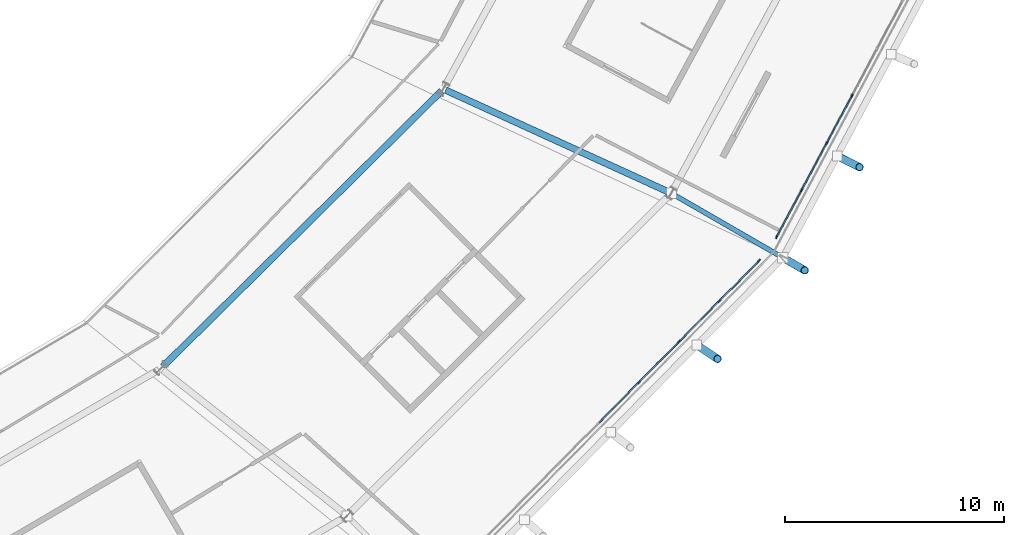
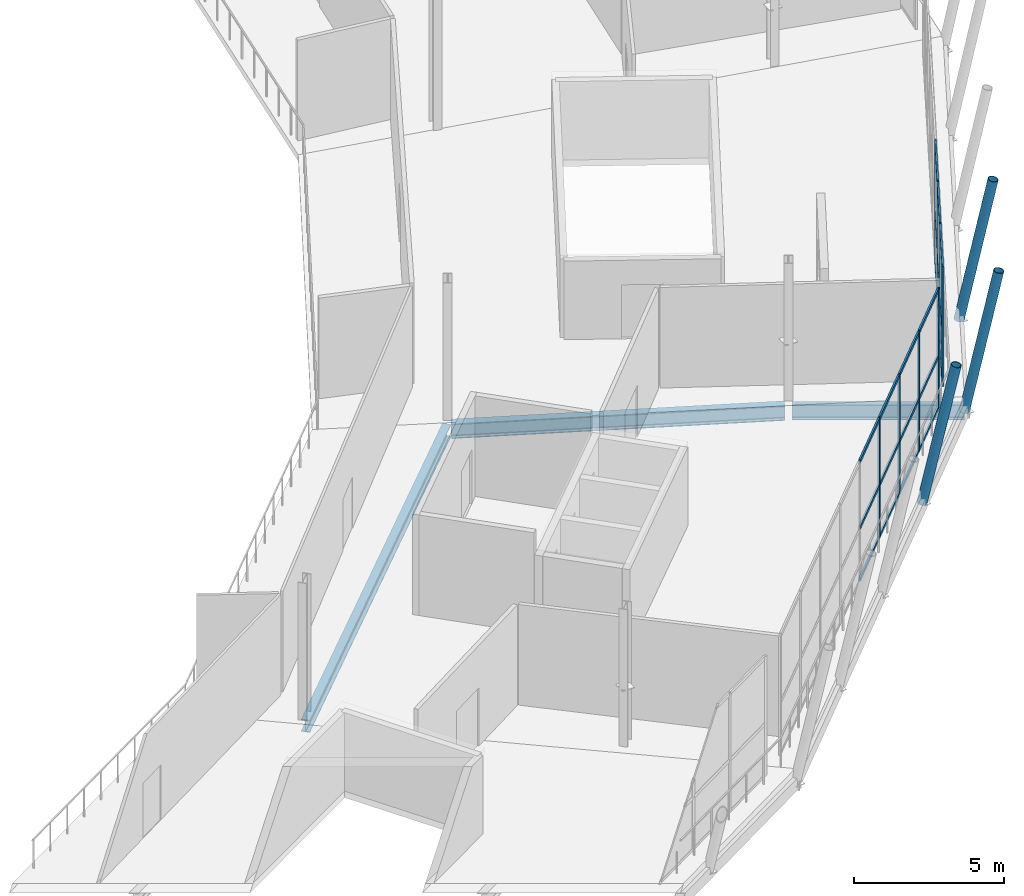
# One storey, part 36 of 99: 32 members, 3 beams, 2 elements without a shape of their own.
"""IFC4 building model written with IfcOpenShell, lengths in metres."""

from ifc_helpers import new_model, si_unit, direction, frame, origin, origin_2d, place, context, subcontext, project, spatial, rectangle, hollow_circle, i_section, extrude, material, material_profile, profile_set, type_object, element, aggregate, save


model = new_model("IFC4")

# Units and contexts
model_context = context("Model", 3, precision=1e-05, world=origin(), true_north=direction((0.0, 1.0)))
body_context = subcontext(model_context, "Body", "Model", "MODEL_VIEW")
ifc_project = project(units=[si_unit("LENGTHUNIT", "METRE"), si_unit("AREAUNIT", "SQUARE_METRE"), si_unit("VOLUMEUNIT", "CUBIC_METRE"), si_unit("PLANEANGLEUNIT", "RADIAN"), si_unit("MASSUNIT", "GRAM", prefix="KILO")], contexts=[model_context])

# Site, building, storey
site_placement = place(None, origin())
site = spatial("IfcSite", under=ifc_project, at=site_placement, CompositionType="ELEMENT")
building_placement = place(site_placement, origin())
building = spatial("IfcBuilding", under=site, at=building_placement, Name="Zlatoyarsky Gate Stadium", CompositionType="ELEMENT")
storey_placement = place(building_placement, frame((0.0, 0.0, 26.199951171875)))
storey = spatial("IfcBuildingStorey", under=building, at=storey_placement, Name="L05", CompositionType="ELEMENT", Elevation=26.199951171875)

# Curtain wall, members
ifc_material_1 = material(Name="Thermally broken anodised aluminium curtain wall", Category="aluminium")
curtain_wall_type = type_object("IfcCurtainWallType", Name="UNITISED SKYBOX RING GLAZING L05", PredefinedType="USERDEFINED", material=ifc_material_1)
curtain_wall_1_placement = place(storey_placement, origin())
curtain_wall_1 = element("IfcCurtainWall", 1, at=curtain_wall_1_placement, inside=storey, type_object=curtain_wall_type, Name="Curtain wall CW-L05-21", ObjectType="UNITISED GLAZING", PredefinedType="USERDEFINED")
ifc_material_2 = material(Name="Anodised aluminium 6063-T6", Category="aluminium")
ifc_material_profile_1 = material_profile(ifc_material_2, rectangle(XDim=0.06494140625, YDim=0.159912109375, at=origin_2d()), Name="ALU 65X160")
ifc_profile_set_1 = profile_set([ifc_material_profile_1], Name="Anodised aluminium 6063-T6")
member_type_1 = type_object("IfcMemberType", Name="ALUMINIUM MULLION 65X160", PredefinedType="MULLION", material=ifc_profile_set_1)
member_1_placement = place(storey_placement, frame((190.0595703125, 35.87890625, 0.0), z_axis=(0.0, 0.0, 1.0), x_axis=(-0.711033343632, 0.703158292451, 0.0)))
member_1 = element("IfcMember", 2, at=member_1_placement, type_object=member_type_1, Name="CW-UG5 mullion 6", PredefinedType="MULLION", context=body_context, shape_type="SweptSolid", body=[
    extrude(rectangle(XDim=0.06494140625, YDim=0.159912109375, at=origin_2d()), origin(), (0.0, 0.0, 1.0), 4.880126953125),
])
member_2_placement = place(storey_placement, frame((191.8955078125, 37.735595703125, 0.0), z_axis=(0.0, 0.0, 1.0), x_axis=(-0.711033343632, 0.703158292451, 0.0)))
member_2 = element("IfcMember", 3, at=member_2_placement, type_object=member_type_1, Name="CW-UG5 mullion 7", PredefinedType="MULLION", context=body_context, shape_type="SweptSolid", body=[
    extrude(rectangle(XDim=0.06494140625, YDim=0.159912109375, at=origin_2d()), origin(), (0.0, 0.0, 1.0), 4.880126953125),
])
member_3_placement = place(storey_placement, frame((193.731689453125, 39.592041015625, 0.0), z_axis=(0.0, 0.0, 1.0), x_axis=(-0.711033343632, 0.703158292451, 0.0)))
member_3 = element("IfcMember", 4, at=member_3_placement, type_object=member_type_1, Name="CW-UG5 mullion 8", PredefinedType="MULLION", context=body_context, shape_type="SweptSolid", body=[
    extrude(rectangle(XDim=0.06494140625, YDim=0.159912109375, at=origin_2d()), origin(), (0.0, 0.0, 1.0), 4.880126953125),
])
member_4_placement = place(storey_placement, frame((195.544677734375, 41.425537109375, 0.0), z_axis=(0.0, 0.0, 1.0), x_axis=(-0.711033343632, 0.703158292451, 0.0)))
member_4 = element("IfcMember", 5, at=member_4_placement, type_object=member_type_1, Name="CW-UG5 mullion 9", PredefinedType="MULLION", context=body_context, shape_type="SweptSolid", body=[
    extrude(rectangle(XDim=0.06494140625, YDim=0.159912109375, at=origin_2d()), origin(), (0.0, 0.0, 1.0), 4.880126953125),
])

curtain_wall_2_placement = place(storey_placement, origin())
curtain_wall_2 = element("IfcCurtainWall", 6, at=curtain_wall_2_placement, inside=storey, type_object=curtain_wall_type, Name="Curtain wall CW-L05-22", ObjectType="UNITISED GLAZING", PredefinedType="USERDEFINED")
member_5_placement = place(storey_placement, frame((196.34619140625, 42.512939453125, 0.0), z_axis=(0.0, 0.0, 1.0), x_axis=(-0.882167873962, 0.470935072117, 0.0)))
member_5 = element("IfcMember", 7, at=member_5_placement, type_object=member_type_1, Name="CW-UG5 mullion 1", PredefinedType="MULLION", context=body_context, shape_type="SweptSolid", body=[
    extrude(rectangle(XDim=0.06494140625, YDim=0.159912109375, at=origin_2d()), origin(), (0.0, 0.0, 1.0), 4.880126953125),
])
member_6_placement = place(storey_placement, frame((197.480224609375, 44.637451171875, 0.0), z_axis=(0.0, 0.0, 1.0), x_axis=(-0.882167873962, 0.470935072117, 0.0)))
member_6 = element("IfcMember", 8, at=member_6_placement, type_object=member_type_1, Name="CW-UG5 mullion 2", PredefinedType="MULLION", context=body_context, shape_type="SweptSolid", body=[
    extrude(rectangle(XDim=0.06494140625, YDim=0.159912109375, at=origin_2d()), origin(), (0.0, 0.0, 1.0), 4.880126953125),
])
member_7_placement = place(storey_placement, frame((198.6298828125, 46.790771484375, 0.0), z_axis=(0.0, 0.0, 1.0), x_axis=(-0.882167873962, 0.470935072117, 0.0)))
member_7 = element("IfcMember", 9, at=member_7_placement, type_object=member_type_1, Name="CW-UG5 mullion 3", PredefinedType="MULLION", context=body_context, shape_type="SweptSolid", body=[
    extrude(rectangle(XDim=0.06494140625, YDim=0.159912109375, at=origin_2d()), origin(), (0.0, 0.0, 1.0), 4.880126953125),
])
member_8_placement = place(storey_placement, frame((199.779296875, 48.944091796875, 0.0), z_axis=(0.0, 0.0, 1.0), x_axis=(-0.882167873962, 0.470935072117, 0.0)))
member_8 = element("IfcMember", 10, at=member_8_placement, type_object=member_type_1, Name="CW-UG5 mullion 4", PredefinedType="MULLION", context=body_context, shape_type="SweptSolid", body=[
    extrude(rectangle(XDim=0.06494140625, YDim=0.159912109375, at=origin_2d()), origin(), (0.0, 0.0, 1.0), 4.880126953125),
])

# Member
ifc_material_profile_2 = material_profile(ifc_material_2, rectangle(XDim=0.06494140625, YDim=0.139892578125, at=origin_2d()), Name="ALU 65X140")
ifc_profile_set_2 = profile_set([ifc_material_profile_2], Name="Anodised aluminium 6063-T6")
member_type_2 = type_object("IfcMemberType", Name="ALUMINIUM TRANSOM 65X140", PredefinedType="USERDEFINED", material=ifc_profile_set_2)
member_9_placement = place(storey_placement, frame((188.246337890625, 34.04541015625, 0.032470703125), z_axis=(0.703116404332, 0.711074765379, 0.0), x_axis=(-0.711074765379, 0.703116404332, 0.0)))
member_9 = element("IfcMember", 11, at=member_9_placement, type_object=member_type_2, Name="CW-UG5 transom 5.1", ObjectType="TRANSOM", PredefinedType="USERDEFINED", context=body_context, shape_type="SweptSolid", body=[
    extrude(rectangle(XDim=0.06494140625, YDim=0.139892578125, at=origin_2d()), origin(), (0.0, 0.0, 1.0), 2.546142578125),
])

member_10_placement = place(storey_placement, frame((188.246337890625, 34.04541015625, 2.150146484375), z_axis=(0.703116404332, 0.711074765379, 0.0), x_axis=(-0.711074765379, 0.703116404332, 0.0)))
member_10 = element("IfcMember", 12, at=member_10_placement, type_object=member_type_2, Name="CW-UG5 transom 5.2", ObjectType="TRANSOM", PredefinedType="USERDEFINED", context=body_context, shape_type="SweptSolid", body=[
    extrude(rectangle(XDim=0.06494140625, YDim=0.139892578125, at=origin_2d()), origin(), (0.0, 0.0, 1.0), 2.546142578125),
])

member_11_placement = place(storey_placement, frame((188.246337890625, 34.04541015625, 4.84765625), z_axis=(0.703116404332, 0.711074765379, 0.0), x_axis=(-0.711074765379, 0.703116404332, 0.0)))
member_11 = element("IfcMember", 13, at=member_11_placement, type_object=member_type_2, Name="CW-UG5 transom 5.3", ObjectType="TRANSOM", PredefinedType="USERDEFINED", context=body_context, shape_type="SweptSolid", body=[
    extrude(rectangle(XDim=0.06494140625, YDim=0.139892578125, at=origin_2d()), origin(), (0.0, 0.0, 1.0), 2.546142578125),
])

member_12_placement = place(storey_placement, frame((190.08251953125, 35.902099609375, 0.032470703125), z_axis=(0.7031643449, 0.711027358166, 0.0), x_axis=(-0.711027358166, 0.7031643449, 0.0)))
member_12 = element("IfcMember", 14, at=member_12_placement, type_object=member_type_2, Name="CW-UG5 transom 6.1", ObjectType="TRANSOM", PredefinedType="USERDEFINED", context=body_context, shape_type="SweptSolid", body=[
    extrude(rectangle(XDim=0.06494140625, YDim=0.139892578125, at=origin_2d()), origin(), (0.0, 0.0, 1.0), 2.546142578125),
])

member_13_placement = place(storey_placement, frame((190.08251953125, 35.902099609375, 2.150146484375), z_axis=(0.7031643449, 0.711027358166, 0.0), x_axis=(-0.711027358166, 0.7031643449, 0.0)))
member_13 = element("IfcMember", 15, at=member_13_placement, type_object=member_type_2, Name="CW-UG5 transom 6.2", ObjectType="TRANSOM", PredefinedType="USERDEFINED", context=body_context, shape_type="SweptSolid", body=[
    extrude(rectangle(XDim=0.06494140625, YDim=0.139892578125, at=origin_2d()), origin(), (0.0, 0.0, 1.0), 2.546142578125),
])

member_14_placement = place(storey_placement, frame((190.08251953125, 35.902099609375, 4.84765625), z_axis=(0.7031643449, 0.711027358166, 0.0), x_axis=(-0.711027358166, 0.7031643449, 0.0)))
member_14 = element("IfcMember", 16, at=member_14_placement, type_object=member_type_2, Name="CW-UG5 transom 6.3", ObjectType="TRANSOM", PredefinedType="USERDEFINED", context=body_context, shape_type="SweptSolid", body=[
    extrude(rectangle(XDim=0.06494140625, YDim=0.139892578125, at=origin_2d()), origin(), (0.0, 0.0, 1.0), 2.546142578125),
])

member_15_placement = place(storey_placement, frame((191.91845703125, 37.758544921875, 0.032470703125), z_axis=(0.703116404332, 0.711074765379, 0.0), x_axis=(-0.711074765379, 0.703116404332, 0.0)))
member_15 = element("IfcMember", 17, at=member_15_placement, type_object=member_type_2, Name="CW-UG5 transom 7.1", ObjectType="TRANSOM", PredefinedType="USERDEFINED", context=body_context, shape_type="SweptSolid", body=[
    extrude(rectangle(XDim=0.06494140625, YDim=0.139892578125, at=origin_2d()), origin(), (0.0, 0.0, 1.0), 2.546142578125),
])

member_16_placement = place(storey_placement, frame((191.91845703125, 37.758544921875, 2.150146484375), z_axis=(0.703116404332, 0.711074765379, 0.0), x_axis=(-0.711074765379, 0.703116404332, 0.0)))
member_16 = element("IfcMember", 18, at=member_16_placement, type_object=member_type_2, Name="CW-UG5 transom 7.2", ObjectType="TRANSOM", PredefinedType="USERDEFINED", context=body_context, shape_type="SweptSolid", body=[
    extrude(rectangle(XDim=0.06494140625, YDim=0.139892578125, at=origin_2d()), origin(), (0.0, 0.0, 1.0), 2.546142578125),
])

member_17_placement = place(storey_placement, frame((191.91845703125, 37.758544921875, 4.84765625), z_axis=(0.703116404332, 0.711074765379, 0.0), x_axis=(-0.711074765379, 0.703116404332, 0.0)))
member_17 = element("IfcMember", 19, at=member_17_placement, type_object=member_type_2, Name="CW-UG5 transom 7.3", ObjectType="TRANSOM", PredefinedType="USERDEFINED", context=body_context, shape_type="SweptSolid", body=[
    extrude(rectangle(XDim=0.06494140625, YDim=0.139892578125, at=origin_2d()), origin(), (0.0, 0.0, 1.0), 2.546142578125),
])

member_18_placement = place(storey_placement, frame((193.75439453125, 39.615234375, 0.032470703125), z_axis=(0.703162404699, 0.711029276906, 0.0), x_axis=(-0.711029276906, 0.703162404699, 0.0)))
member_18 = element("IfcMember", 20, at=member_18_placement, type_object=member_type_2, Name="CW-UG5 transom 8.1", ObjectType="TRANSOM", PredefinedType="USERDEFINED", context=body_context, shape_type="SweptSolid", body=[
    extrude(rectangle(XDim=0.06494140625, YDim=0.139892578125, at=origin_2d()), origin(), (0.0, 0.0, 1.0), 2.513671875),
])

member_19_placement = place(storey_placement, frame((193.75439453125, 39.615234375, 2.150146484375), z_axis=(0.703162404699, 0.711029276906, 0.0), x_axis=(-0.711029276906, 0.703162404699, 0.0)))
member_19 = element("IfcMember", 21, at=member_19_placement, type_object=member_type_2, Name="CW-UG5 transom 8.2", ObjectType="TRANSOM", PredefinedType="USERDEFINED", context=body_context, shape_type="SweptSolid", body=[
    extrude(rectangle(XDim=0.06494140625, YDim=0.139892578125, at=origin_2d()), origin(), (0.0, 0.0, 1.0), 2.513671875),
])

member_20_placement = place(storey_placement, frame((193.75439453125, 39.615234375, 4.84765625), z_axis=(0.703162404699, 0.711029276906, 0.0), x_axis=(-0.711029276906, 0.703162404699, 0.0)))
member_20 = element("IfcMember", 22, at=member_20_placement, type_object=member_type_2, Name="CW-UG5 transom 8.3", ObjectType="TRANSOM", PredefinedType="USERDEFINED", context=body_context, shape_type="SweptSolid", body=[
    extrude(rectangle(XDim=0.06494140625, YDim=0.139892578125, at=origin_2d()), origin(), (0.0, 0.0, 1.0), 2.513671875),
])

aggregate(curtain_wall_1, [member_1, member_2, member_3, member_4, member_9, member_10, member_11, member_12, member_13, member_14, member_15, member_16, member_17, member_18, member_19, member_20])

member_21_placement = place(storey_placement, frame((196.361328125, 42.541748046875, 0.032470703125), z_axis=(0.471015370143, 0.882125003097, 0.0), x_axis=(-0.882125003097, 0.471015370143, 0.0)))
member_21 = element("IfcMember", 23, at=member_21_placement, type_object=member_type_2, Name="CW-UG5 transom 1.1", ObjectType="TRANSOM", PredefinedType="USERDEFINED", context=body_context, shape_type="SweptSolid", body=[
    extrude(rectangle(XDim=0.06494140625, YDim=0.139892578125, at=origin_2d()), origin(), (0.0, 0.0, 1.0), 2.34326171875),
])

member_22_placement = place(storey_placement, frame((196.361328125, 42.541748046875, 2.150146484375), z_axis=(0.471015370143, 0.882125003097, 0.0), x_axis=(-0.882125003097, 0.471015370143, 0.0)))
member_22 = element("IfcMember", 24, at=member_22_placement, type_object=member_type_2, Name="CW-UG5 transom 1.2", ObjectType="TRANSOM", PredefinedType="USERDEFINED", context=body_context, shape_type="SweptSolid", body=[
    extrude(rectangle(XDim=0.06494140625, YDim=0.139892578125, at=origin_2d()), origin(), (0.0, 0.0, 1.0), 2.34326171875),
])

member_23_placement = place(storey_placement, frame((196.361328125, 42.541748046875, 4.84765625), z_axis=(0.471015370143, 0.882125003097, 0.0), x_axis=(-0.882125003097, 0.471015370143, 0.0)))
member_23 = element("IfcMember", 25, at=member_23_placement, type_object=member_type_2, Name="CW-UG5 transom 1.3", ObjectType="TRANSOM", PredefinedType="USERDEFINED", context=body_context, shape_type="SweptSolid", body=[
    extrude(rectangle(XDim=0.06494140625, YDim=0.139892578125, at=origin_2d()), origin(), (0.0, 0.0, 1.0), 2.34326171875),
])

member_24_placement = place(storey_placement, frame((197.49560546875, 44.666259765625, 0.032470703125), z_axis=(0.470934870173, 0.882167981767, 0.0), x_axis=(-0.882167981767, 0.470934870173, 0.0)))
member_24 = element("IfcMember", 26, at=member_24_placement, type_object=member_type_2, Name="CW-UG5 transom 2.1", ObjectType="TRANSOM", PredefinedType="USERDEFINED", context=body_context, shape_type="SweptSolid", body=[
    extrude(rectangle(XDim=0.06494140625, YDim=0.139892578125, at=origin_2d()), origin(), (0.0, 0.0, 1.0), 2.3759765625),
])

member_25_placement = place(storey_placement, frame((197.49560546875, 44.666259765625, 2.150146484375), z_axis=(0.470934870173, 0.882167981767, 0.0), x_axis=(-0.882167981767, 0.470934870173, 0.0)))
member_25 = element("IfcMember", 27, at=member_25_placement, type_object=member_type_2, Name="CW-UG5 transom 2.2", ObjectType="TRANSOM", PredefinedType="USERDEFINED", context=body_context, shape_type="SweptSolid", body=[
    extrude(rectangle(XDim=0.06494140625, YDim=0.139892578125, at=origin_2d()), origin(), (0.0, 0.0, 1.0), 2.3759765625),
])

member_26_placement = place(storey_placement, frame((197.49560546875, 44.666259765625, 4.84765625), z_axis=(0.470934870173, 0.882167981767, 0.0), x_axis=(-0.882167981767, 0.470934870173, 0.0)))
member_26 = element("IfcMember", 28, at=member_26_placement, type_object=member_type_2, Name="CW-UG5 transom 2.3", ObjectType="TRANSOM", PredefinedType="USERDEFINED", context=body_context, shape_type="SweptSolid", body=[
    extrude(rectangle(XDim=0.06494140625, YDim=0.139892578125, at=origin_2d()), origin(), (0.0, 0.0, 1.0), 2.3759765625),
])

member_27_placement = place(storey_placement, frame((198.64501953125, 46.819580078125, 0.032470703125), z_axis=(0.470977563195, 0.882145189278, 0.0), x_axis=(-0.882145189278, 0.470977563195, 0.0)))
member_27 = element("IfcMember", 29, at=member_27_placement, type_object=member_type_2, Name="CW-UG5 transom 3.1", ObjectType="TRANSOM", PredefinedType="USERDEFINED", context=body_context, shape_type="SweptSolid", body=[
    extrude(rectangle(XDim=0.06494140625, YDim=0.139892578125, at=origin_2d()), origin(), (0.0, 0.0, 1.0), 2.375732421875),
])

member_28_placement = place(storey_placement, frame((198.64501953125, 46.819580078125, 2.150146484375), z_axis=(0.470977563195, 0.882145189278, 0.0), x_axis=(-0.882145189278, 0.470977563195, 0.0)))
member_28 = element("IfcMember", 30, at=member_28_placement, type_object=member_type_2, Name="CW-UG5 transom 3.2", ObjectType="TRANSOM", PredefinedType="USERDEFINED", context=body_context, shape_type="SweptSolid", body=[
    extrude(rectangle(XDim=0.06494140625, YDim=0.139892578125, at=origin_2d()), origin(), (0.0, 0.0, 1.0), 2.375732421875),
])

member_29_placement = place(storey_placement, frame((198.64501953125, 46.819580078125, 4.84765625), z_axis=(0.470977563195, 0.882145189278, 0.0), x_axis=(-0.882145189278, 0.470977563195, 0.0)))
member_29 = element("IfcMember", 31, at=member_29_placement, type_object=member_type_2, Name="CW-UG5 transom 3.3", ObjectType="TRANSOM", PredefinedType="USERDEFINED", context=body_context, shape_type="SweptSolid", body=[
    extrude(rectangle(XDim=0.06494140625, YDim=0.139892578125, at=origin_2d()), origin(), (0.0, 0.0, 1.0), 2.375732421875),
])

aggregate(curtain_wall_2, [member_5, member_6, member_7, member_8, member_21, member_22, member_23, member_24, member_25, member_26, member_27, member_28, member_29])

# Beam
ifc_material_3 = material(Name="Steel S355", Category="steel")
ifc_material_profile_3 = material_profile(ifc_material_3, i_section(OverallWidth=0.219970703125, OverallDepth=0.60009765625, WebThickness=0.011962890625, FlangeThickness=0.01904296875, FilletRadius=0.02392578125, at=origin_2d()), Name="IPE 600")
ifc_profile_set_3 = profile_set([ifc_material_profile_3], Name="Steel S355")
beam_type_1 = type_object("IfcBeamType", Name="STEEL CANTILEVER FLOOR BEAM IPE 600", PredefinedType="BEAM", material=ifc_profile_set_3)
beam_1_placement = place(storey_placement, frame((191.644287109375, 44.43994140625, -0.56005859375), z_axis=(0.866014006798, -0.500019739641, 0.0), x_axis=(0.500019739641, 0.866014006798, 0.0)))
element("IfcBeam", 32, at=beam_1_placement, inside=storey, type_object=beam_type_1, Name="Beam B-IPE600 BM-L05-OUT-22", PredefinedType="BEAM", context=body_context, shape_type="SweptSolid", body=[
    extrude(i_section(OverallWidth=0.219970703125, OverallDepth=0.60009765625, WebThickness=0.011962890625, FlangeThickness=0.01904296875, FilletRadius=0.02392578125, at=origin_2d()), origin(), (0.0, 0.0, 1.0), 5.758056640625),
])

# Members
ifc_material_profile_4 = material_profile(ifc_material_3, hollow_circle(Radius=0.177734375, WallThickness=0.02001953125, at=origin_2d()), Name="CHS 355.6X20")
ifc_profile_set_4 = profile_set([ifc_material_profile_4], Name="Steel S355")
member_type_3 = type_object("IfcMemberType", Name="STEEL LEANING RIB RING STRUT CHS 355.6X20", PredefinedType="STRUT", material=ifc_profile_set_4)
member_30_placement = place(storey_placement, frame((192.702392578125, 37.580322265625, -0.510009765625), z_axis=(0.164515541184, -0.109803870587, 0.980243718018), x_axis=(0.555144087828, 0.83175419551, 0.0)))
element("IfcMember", 33, at=member_30_placement, inside=storey, type_object=member_type_3, Name="Outward-leaning bowl louvre fin rib L05 21-3", PredefinedType="STRUT", context=body_context, shape_type="SweptSolid", body=[
    extrude(hollow_circle(Radius=0.177734375, WallThickness=0.02001953125, at=origin_2d()), origin(), (0.0, 0.0, 1.0), 5.774169921875),
])
member_31_placement = place(storey_placement, frame((196.630859375, 41.560791015625, -0.56005859375), z_axis=(0.170926105253, -0.098666025445, 0.98033121034), x_axis=(0.499930806979, 0.866065348708, 0.0)))
element("IfcMember", 34, at=member_31_placement, inside=storey, type_object=member_type_3, Name="Upper leaning rib ring strut 22", PredefinedType="STRUT", context=body_context, shape_type="SweptSolid", body=[
    extrude(hollow_circle(Radius=0.177734375, WallThickness=0.02001953125, at=origin_2d()), origin(), (0.0, 0.0, 1.0), 5.82470703125),
])
member_32_placement = place(storey_placement, frame((199.100341796875, 46.1962890625, -0.510009765625), z_axis=(0.177369194888, -0.087521867322, 0.980244914011), x_axis=(0.442504467342, 0.896766299758, 0.0)))
element("IfcMember", 35, at=member_32_placement, inside=storey, type_object=member_type_3, Name="Outward-leaning bowl louvre fin rib L05 22-1", PredefinedType="STRUT", context=body_context, shape_type="SweptSolid", body=[
    extrude(hollow_circle(Radius=0.177734375, WallThickness=0.02001953125, at=origin_2d()), origin(), (0.0, 0.0, 1.0), 5.774169921875),
])

# Beams
ifc_material_profile_5 = material_profile(ifc_material_3, i_section(OverallWidth=0.300048828125, OverallDepth=0.5, WebThickness=0.014404296875, FlangeThickness=0.028076171875, FilletRadius=0.027099609375, at=origin_2d()), Name="HEB 500")
ifc_profile_set_5 = profile_set([ifc_material_profile_5], Name="Steel S355")
beam_type_2 = type_object("IfcBeamType", Name="STEEL PRIMARY GIRDER HEB 500", PredefinedType="BEAM", material=ifc_profile_set_5)
beam_2_placement = place(storey_placement, frame((168.36083984375, 36.597412109375, -0.510009765625), z_axis=(0.710840510009, 0.703353232259, 0.0), x_axis=(-0.703353232259, 0.710840510009, 0.0)))
element("IfcBeam", 36, at=beam_2_placement, inside=storey, type_object=beam_type_2, Name="Beam G-HEB500 BM-L05-CRB-21", PredefinedType="BEAM", context=body_context, shape_type="SweptSolid", body=[
    extrude(i_section(OverallWidth=0.300048828125, OverallDepth=0.5, WebThickness=0.014404296875, FlangeThickness=0.028076171875, FilletRadius=0.027099609375, at=origin_2d()), origin(), (0.0, 0.0, 1.0), 17.868896484375),
])
ifc_material_profile_6 = material_profile(ifc_material_3, i_section(OverallWidth=0.300048828125, OverallDepth=0.60009765625, WebThickness=0.015380859375, FlangeThickness=0.030029296875, FilletRadius=0.027099609375, at=origin_2d()), Name="HEB 600")
ifc_profile_set_6 = profile_set([ifc_material_profile_6], Name="Steel S355")
beam_type_3 = type_object("IfcBeamType", Name="STEEL PRIMARY GIRDER HEB 600", PredefinedType="BEAM", material=ifc_profile_set_6)
beam_3_placement = place(storey_placement, frame((181.257080078125, 49.2001953125, -0.56005859375), z_axis=(0.909498994842, -0.415706120213, 0.0), x_axis=(0.415706120213, 0.909498994842, 0.0)))
element("IfcBeam", 37, at=beam_3_placement, inside=storey, type_object=beam_type_3, Name="Beam G-HEB600 BM-L05-RBC-22", PredefinedType="BEAM", context=body_context, shape_type="SweptSolid", body=[
    extrude(i_section(OverallWidth=0.300048828125, OverallDepth=0.60009765625, WebThickness=0.015380859375, FlangeThickness=0.030029296875, FilletRadius=0.027099609375, at=origin_2d()), origin(), (0.0, 0.0, 1.0), 11.186767578125),
])

save(model, "model.ifc")
